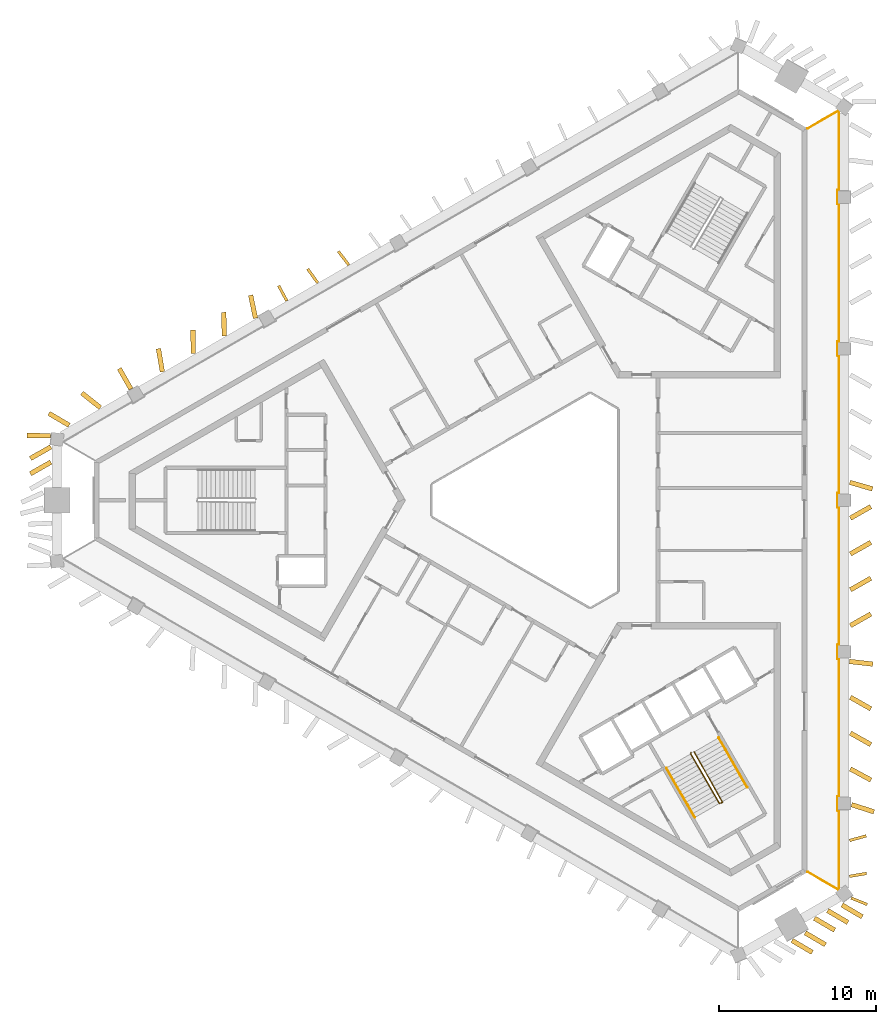
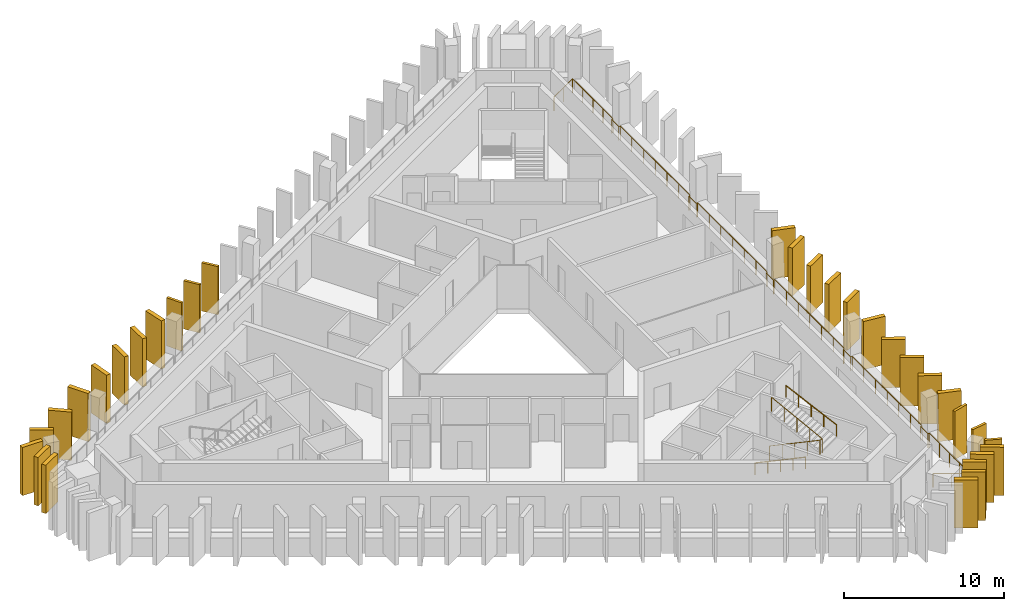
# One storey, part 8 of 9: 31 shading devices, 4 railings.
"""IFC4 building model written with IfcOpenShell, lengths in metres."""

from ifc_helpers import new_model, si_unit, direction, frame, frame_2d, origin, origin_2d, place, context, subcontext, project, spatial, rectangle, circle, extrude, material, layer, layer_set, type_object, element, save


model = new_model("IFC4")

# Units and contexts
model_context = context("Model", 3, precision=1e-05, world=origin(), true_north=direction((0.0, 1.0)))
body_context = subcontext(model_context, "Body", "Model", "MODEL_VIEW")
ifc_project = project(units=[si_unit("LENGTHUNIT", "METRE"), si_unit("AREAUNIT", "SQUARE_METRE"), si_unit("VOLUMEUNIT", "CUBIC_METRE"), si_unit("PLANEANGLEUNIT", "RADIAN"), si_unit("MASSUNIT", "GRAM", prefix="KILO")], contexts=[model_context])

# Site, building, storey
site_placement = place(None, origin())
site = spatial("IfcSite", under=ifc_project, at=site_placement, CompositionType="ELEMENT")
building_placement = place(site_placement, origin())
building = spatial("IfcBuilding", under=site, at=building_placement, Name="Jabali Bay Hotel Tower and Convention Centre", CompositionType="ELEMENT")
storey_placement = place(building_placement, frame((0.0, 0.0, 281.199951171875)))
storey = spatial("IfcBuildingStorey", under=building, at=storey_placement, Name="L69", CompositionType="ELEMENT", Elevation=281.199951171875)

# Railing
ifc_material_1 = material(Name="Glass", Category="glass")
railing_type_1 = type_object("IfcRailingType", Name="Loggia glass guard 1100", PredefinedType="BALUSTRADE", material=ifc_material_1)
railing_1_placement = place(storey_placement, frame((91.62841796875, 103.68017578125, 0.0)))
element("IfcRailing", 1, at=railing_1_placement, inside=storey, type_object=railing_type_1, Name="Loggia glass guard L69", PredefinedType="BALUSTRADE", context=body_context, shape_type="SweptSolid", body=[
    extrude(circle(Radius=0.02490234375, at=origin_2d()), frame((0.0, 0.0, 1.0751953125), z_axis=(0.866062295389, 0.499936096422, 0.0), x_axis=(-0.495659073812, 0.858653012393, 0.13052619222)), (0.0, 0.0, 1.0), 2.275146484375),
    extrude(circle(Radius=0.02490234375, at=origin_2d()), frame((1.970458984375, 1.137451171875, 1.0751953125), z_axis=(0.796035404545, -0.605250059654, 0.0), x_axis=(0.60007206149, 0.789225211308, 0.13052619222)), (0.0, 0.0, 1.0), 0.037109375),
    extrude(circle(Radius=0.02490234375, at=origin_2d()), frame((2.0, 1.114990234375, 1.0751953125), z_axis=(0.0, -1.0, 0.0), x_axis=(0.991444861374, 0.0, 0.13052619222)), (0.0, 0.0, 1.0), 5.02294921875),
    extrude(circle(Radius=0.02490234375, at=origin_2d()), frame((2.0, -3.907958984375, 1.0751953125), z_axis=(-1.0, 0.0, 0.0), x_axis=(0.0, -0.991444861374, 0.13052619222)), (0.0, 0.0, 1.0), 0.099853515625),
    extrude(circle(Radius=0.02490234375, at=origin_2d()), frame((1.900146484375, -3.907958984375, 1.0751953125), z_axis=(0.0, -1.0, 0.0), x_axis=(0.991444861374, 0.0, 0.13052619222)), (0.0, 0.0, 1.0), 0.900146484375),
    extrude(circle(Radius=0.02490234375, at=origin_2d()), frame((1.900146484375, -4.80810546875, 1.0751953125), z_axis=(1.0, 0.0, 0.0), x_axis=(0.0, 0.991444861374, 0.13052619222)), (0.0, 0.0, 1.0), 0.099853515625),
    extrude(circle(Radius=0.02490234375, at=origin_2d()), frame((2.0, -4.80810546875, 1.0751953125), z_axis=(0.0, -1.0, 0.0), x_axis=(0.991444861374, 0.0, 0.13052619222)), (0.0, 0.0, 1.0), 8.760986328125),
    extrude(circle(Radius=0.02490234375, at=origin_2d()), frame((2.0, -13.569091796875, 1.0751953125), z_axis=(-1.0, 0.0, 0.0), x_axis=(0.0, -0.991444861374, 0.13052619222)), (0.0, 0.0, 1.0), 0.099853515625),
    extrude(circle(Radius=0.02490234375, at=origin_2d()), frame((1.900146484375, -13.569091796875, 1.0751953125), z_axis=(0.0, -1.0, 0.0), x_axis=(0.991444861374, 0.0, 0.13052619222)), (0.0, 0.0, 1.0), 0.89990234375),
    extrude(circle(Radius=0.02490234375, at=origin_2d()), frame((1.900146484375, -14.468994140625, 1.0751953125), z_axis=(1.0, 0.0, 0.0), x_axis=(0.0, 0.991444861374, 0.13052619222)), (0.0, 0.0, 1.0), 0.099853515625),
    extrude(circle(Radius=0.02490234375, at=origin_2d()), frame((2.0, -14.468994140625, 1.0751953125), z_axis=(0.0, -1.0, 0.0), x_axis=(0.991444861374, 0.0, 0.13052619222)), (0.0, 0.0, 1.0), 8.76123046875),
    extrude(circle(Radius=0.02490234375, at=origin_2d()), frame((2.0, -23.230224609375, 1.0751953125), z_axis=(-1.0, 0.0, 0.0), x_axis=(0.0, -0.991444861374, 0.13052619222)), (0.0, 0.0, 1.0), 0.099853515625),
    extrude(circle(Radius=0.02490234375, at=origin_2d()), frame((1.900146484375, -23.230224609375, 1.0751953125), z_axis=(0.0, -1.0, 0.0), x_axis=(0.991444861374, 0.0, 0.13052619222)), (0.0, 0.0, 1.0), 0.89990234375),
    extrude(circle(Radius=0.02490234375, at=origin_2d()), frame((1.900146484375, -24.130126953125, 1.0751953125), z_axis=(1.0, 0.0, 0.0), x_axis=(0.0, 0.991444861374, 0.13052619222)), (0.0, 0.0, 1.0), 0.099853515625),
    extrude(circle(Radius=0.02490234375, at=origin_2d()), frame((2.0, -24.130126953125, 1.0751953125), z_axis=(0.0, -1.0, 0.0), x_axis=(0.991444861374, 0.0, 0.13052619222)), (0.0, 0.0, 1.0), 8.76123046875),
    extrude(circle(Radius=0.02490234375, at=origin_2d()), frame((2.0, -32.891357421875, 1.0751953125), z_axis=(-1.0, 0.0, 0.0), x_axis=(0.0, -0.991444861374, 0.13052619222)), (0.0, 0.0, 1.0), 0.099853515625),
    extrude(circle(Radius=0.02490234375, at=origin_2d()), frame((1.900146484375, -32.891357421875, 1.0751953125), z_axis=(0.0, -1.0, 0.0), x_axis=(0.991444861374, 0.0, 0.13052619222)), (0.0, 0.0, 1.0), 0.89990234375),
    extrude(circle(Radius=0.02490234375, at=origin_2d()), frame((1.900146484375, -33.791259765625, 1.0751953125), z_axis=(1.0, 0.0, 0.0), x_axis=(0.0, 0.991444861374, 0.13052619222)), (0.0, 0.0, 1.0), 0.099853515625),
    extrude(circle(Radius=0.02490234375, at=origin_2d()), frame((2.0, -33.791259765625, 1.0751953125), z_axis=(0.0, -1.0, 0.0), x_axis=(0.991444861374, 0.0, 0.13052619222)), (0.0, 0.0, 1.0), 8.760986328125),
    extrude(circle(Radius=0.02490234375, at=origin_2d()), frame((2.0, -42.55224609375, 1.0751953125), z_axis=(-1.0, 0.0, 0.0), x_axis=(0.0, -0.991444861374, 0.13052619222)), (0.0, 0.0, 1.0), 0.099853515625),
    extrude(circle(Radius=0.02490234375, at=origin_2d()), frame((1.900146484375, -42.55224609375, 1.0751953125), z_axis=(0.0, -1.0, 0.0), x_axis=(0.991444861374, 0.0, 0.13052619222)), (0.0, 0.0, 1.0), 0.900146484375),
    extrude(circle(Radius=0.02490234375, at=origin_2d()), frame((1.900146484375, -43.452392578125, 1.0751953125), z_axis=(1.0, 0.0, 0.0), x_axis=(0.0, 0.991444861374, 0.13052619222)), (0.0, 0.0, 1.0), 0.099853515625),
    extrude(circle(Radius=0.02490234375, at=origin_2d()), frame((2.0, -43.452392578125, 1.0751953125), z_axis=(0.0, -1.0, 0.0), x_axis=(0.991444861374, 0.0, 0.13052619222)), (0.0, 0.0, 1.0), 5.02294921875),
    extrude(circle(Radius=0.02490234375, at=origin_2d()), frame((2.0, -48.475341796875, 1.0751953125), z_axis=(-0.796035404545, -0.605250059654, 0.0), x_axis=(0.60007206149, -0.789225211308, 0.13052619222)), (0.0, 0.0, 1.0), 0.037109375),
    extrude(circle(Radius=0.02490234375, at=origin_2d()), frame((1.970458984375, -48.497802734375, 1.0751953125), z_axis=(-0.866062295389, 0.499936096422, 0.0), x_axis=(-0.495659073812, -0.858653012393, 0.13052619222)), (0.0, 0.0, 1.0), 2.275146484375),
    extrude(circle(Radius=0.02001953125, at=origin_2d()), origin(), (0.0, 0.0, 1.0), 1.050048828125),
    extrude(circle(Radius=0.02001953125, at=origin_2d()), frame((0.9853515625, 0.56884765625, 0.0)), (0.0, 0.0, 1.0), 1.050048828125),
    extrude(circle(Radius=0.02001953125, at=origin_2d()), frame((1.970458984375, 1.137451171875, 0.0)), (0.0, 0.0, 1.0), 1.050048828125),
    extrude(circle(Radius=0.02001953125, at=origin_2d()), frame((2.0, 1.114990234375, 0.0)), (0.0, 0.0, 1.0), 1.050048828125),
    extrude(circle(Radius=0.02001953125, at=origin_2d()), frame((2.0, -0.140625, 0.0)), (0.0, 0.0, 1.0), 1.050048828125),
    extrude(circle(Radius=0.02001953125, at=origin_2d()), frame((2.0, -1.396484375, 0.0)), (0.0, 0.0, 1.0), 1.050048828125),
    extrude(circle(Radius=0.02001953125, at=origin_2d()), frame((2.0, -2.65234375, 0.0)), (0.0, 0.0, 1.0), 1.050048828125),
    extrude(circle(Radius=0.02001953125, at=origin_2d()), frame((2.0, -3.907958984375, 0.0)), (0.0, 0.0, 1.0), 1.050048828125),
    extrude(circle(Radius=0.02001953125, at=origin_2d()), frame((1.900146484375, -3.907958984375, 0.0)), (0.0, 0.0, 1.0), 1.050048828125),
    extrude(circle(Radius=0.02001953125, at=origin_2d()), frame((1.900146484375, -4.80810546875, 0.0)), (0.0, 0.0, 1.0), 1.050048828125),
    extrude(circle(Radius=0.02001953125, at=origin_2d()), frame((2.0, -4.80810546875, 0.0)), (0.0, 0.0, 1.0), 1.050048828125),
    extrude(circle(Radius=0.02001953125, at=origin_2d()), frame((2.0, -6.268310546875, 0.0)), (0.0, 0.0, 1.0), 1.050048828125),
    extrude(circle(Radius=0.02001953125, at=origin_2d()), frame((2.0, -7.728515625, 0.0)), (0.0, 0.0, 1.0), 1.050048828125),
    extrude(circle(Radius=0.02001953125, at=origin_2d()), frame((2.0, -9.1884765625, 0.0)), (0.0, 0.0, 1.0), 1.050048828125),
    extrude(circle(Radius=0.02001953125, at=origin_2d()), frame((2.0, -10.648681640625, 0.0)), (0.0, 0.0, 1.0), 1.050048828125),
    extrude(circle(Radius=0.02001953125, at=origin_2d()), frame((2.0, -12.10888671875, 0.0)), (0.0, 0.0, 1.0), 1.050048828125),
    extrude(circle(Radius=0.02001953125, at=origin_2d()), frame((2.0, -13.569091796875, 0.0)), (0.0, 0.0, 1.0), 1.050048828125),
    extrude(circle(Radius=0.02001953125, at=origin_2d()), frame((1.900146484375, -13.569091796875, 0.0)), (0.0, 0.0, 1.0), 1.050048828125),
    extrude(circle(Radius=0.02001953125, at=origin_2d()), frame((1.900146484375, -14.468994140625, 0.0)), (0.0, 0.0, 1.0), 1.050048828125),
    extrude(circle(Radius=0.02001953125, at=origin_2d()), frame((2.0, -14.468994140625, 0.0)), (0.0, 0.0, 1.0), 1.050048828125),
    extrude(circle(Radius=0.02001953125, at=origin_2d()), frame((2.0, -15.92919921875, 0.0)), (0.0, 0.0, 1.0), 1.050048828125),
    extrude(circle(Radius=0.02001953125, at=origin_2d()), frame((2.0, -17.389404296875, 0.0)), (0.0, 0.0, 1.0), 1.050048828125),
    extrude(circle(Radius=0.02001953125, at=origin_2d()), frame((2.0, -18.849609375, 0.0)), (0.0, 0.0, 1.0), 1.050048828125),
    extrude(circle(Radius=0.02001953125, at=origin_2d()), frame((2.0, -20.309814453125, 0.0)), (0.0, 0.0, 1.0), 1.050048828125),
    extrude(circle(Radius=0.02001953125, at=origin_2d()), frame((2.0, -21.77001953125, 0.0)), (0.0, 0.0, 1.0), 1.050048828125),
    extrude(circle(Radius=0.02001953125, at=origin_2d()), frame((2.0, -23.230224609375, 0.0)), (0.0, 0.0, 1.0), 1.050048828125),
    extrude(circle(Radius=0.02001953125, at=origin_2d()), frame((1.900146484375, -23.230224609375, 0.0)), (0.0, 0.0, 1.0), 1.050048828125),
    extrude(circle(Radius=0.02001953125, at=origin_2d()), frame((1.900146484375, -24.130126953125, 0.0)), (0.0, 0.0, 1.0), 1.050048828125),
    extrude(circle(Radius=0.02001953125, at=origin_2d()), frame((2.0, -24.130126953125, 0.0)), (0.0, 0.0, 1.0), 1.050048828125),
    extrude(circle(Radius=0.02001953125, at=origin_2d()), frame((2.0, -25.59033203125, 0.0)), (0.0, 0.0, 1.0), 1.050048828125),
    extrude(circle(Radius=0.02001953125, at=origin_2d()), frame((2.0, -27.050537109375, 0.0)), (0.0, 0.0, 1.0), 1.050048828125),
    extrude(circle(Radius=0.02001953125, at=origin_2d()), frame((2.0, -28.5107421875, 0.0)), (0.0, 0.0, 1.0), 1.050048828125),
    extrude(circle(Radius=0.02001953125, at=origin_2d()), frame((2.0, -29.970947265625, 0.0)), (0.0, 0.0, 1.0), 1.050048828125),
    extrude(circle(Radius=0.02001953125, at=origin_2d()), frame((2.0, -31.43115234375, 0.0)), (0.0, 0.0, 1.0), 1.050048828125),
    extrude(circle(Radius=0.02001953125, at=origin_2d()), frame((2.0, -32.891357421875, 0.0)), (0.0, 0.0, 1.0), 1.050048828125),
    extrude(circle(Radius=0.02001953125, at=origin_2d()), frame((1.900146484375, -32.891357421875, 0.0)), (0.0, 0.0, 1.0), 1.050048828125),
    extrude(circle(Radius=0.02001953125, at=origin_2d()), frame((1.900146484375, -33.791259765625, 0.0)), (0.0, 0.0, 1.0), 1.050048828125),
    extrude(circle(Radius=0.02001953125, at=origin_2d()), frame((2.0, -33.791259765625, 0.0)), (0.0, 0.0, 1.0), 1.050048828125),
    extrude(circle(Radius=0.02001953125, at=origin_2d()), frame((2.0, -35.25146484375, 0.0)), (0.0, 0.0, 1.0), 1.050048828125),
    extrude(circle(Radius=0.02001953125, at=origin_2d()), frame((2.0, -36.711669921875, 0.0)), (0.0, 0.0, 1.0), 1.050048828125),
    extrude(circle(Radius=0.02001953125, at=origin_2d()), frame((2.0, -38.171875, 0.0)), (0.0, 0.0, 1.0), 1.050048828125),
    extrude(circle(Radius=0.02001953125, at=origin_2d()), frame((2.0, -39.6318359375, 0.0)), (0.0, 0.0, 1.0), 1.050048828125),
    extrude(circle(Radius=0.02001953125, at=origin_2d()), frame((2.0, -41.092041015625, 0.0)), (0.0, 0.0, 1.0), 1.050048828125),
    extrude(circle(Radius=0.02001953125, at=origin_2d()), frame((2.0, -42.55224609375, 0.0)), (0.0, 0.0, 1.0), 1.050048828125),
    extrude(circle(Radius=0.02001953125, at=origin_2d()), frame((1.900146484375, -42.55224609375, 0.0)), (0.0, 0.0, 1.0), 1.050048828125),
    extrude(circle(Radius=0.02001953125, at=origin_2d()), frame((1.900146484375, -43.452392578125, 0.0)), (0.0, 0.0, 1.0), 1.050048828125),
    extrude(circle(Radius=0.02001953125, at=origin_2d()), frame((2.0, -43.452392578125, 0.0)), (0.0, 0.0, 1.0), 1.050048828125),
    extrude(circle(Radius=0.02001953125, at=origin_2d()), frame((2.0, -44.7080078125, 0.0)), (0.0, 0.0, 1.0), 1.050048828125),
    extrude(circle(Radius=0.02001953125, at=origin_2d()), frame((2.0, -45.9638671875, 0.0)), (0.0, 0.0, 1.0), 1.050048828125),
    extrude(circle(Radius=0.02001953125, at=origin_2d()), frame((2.0, -47.2197265625, 0.0)), (0.0, 0.0, 1.0), 1.050048828125),
    extrude(circle(Radius=0.02001953125, at=origin_2d()), frame((2.0, -48.475341796875, 0.0)), (0.0, 0.0, 1.0), 1.050048828125),
    extrude(circle(Radius=0.02001953125, at=origin_2d()), frame((1.970458984375, -48.497802734375, 0.0)), (0.0, 0.0, 1.0), 1.050048828125),
    extrude(circle(Radius=0.02001953125, at=origin_2d()), frame((0.9853515625, -47.92919921875, 0.0)), (0.0, 0.0, 1.0), 1.050048828125),
    extrude(circle(Radius=0.02001953125, at=origin_2d()), frame((0.0, -47.3603515625, 0.0)), (0.0, 0.0, 1.0), 1.050048828125),
])

# Shading devices
ifc_material_2 = material(Name="Precast concrete C60", Category="concrete")
ifc_layer_1 = layer(ifc_material_2, 0.179931640625)
ifc_layer_set_1 = layer_set([ifc_layer_1], Name="Precast concrete C60")
shading_device_type_1 = type_object("IfcShadingDeviceType", Name="Precast fin 3680 x 1100", PredefinedType="USERDEFINED", material=ifc_layer_set_1)
shading_device_1_placement = place(storey_placement, frame((94.285888671875, 56.0458984375, 0.010009765625), z_axis=(0.0, 0.0, 1.0), x_axis=(0.986013445644, 0.166665788359, 0.0)))
element("IfcShadingDevice", 2, at=shading_device_1_placement, inside=storey, type_object=shading_device_type_1, Name="Fin L69 000", ObjectType="FIN", PredefinedType="USERDEFINED", context=body_context, shape_type="SweptSolid", body=[
    extrude(rectangle(XDim=1.10009765625, YDim=0.179931640625, at=frame_2d((0.550048828125, 0.0))), origin(), (0.0, 0.0, 1.0), 3.679931640625),
])
shading_device_2_placement = place(storey_placement, frame((94.29541015625, 58.327392578125, 0.010009765625), z_axis=(0.0, 0.0, 1.0), x_axis=(0.962753928238, 0.270379129489, 0.0)))
element("IfcShadingDevice", 3, at=shading_device_2_placement, inside=storey, type_object=shading_device_type_1, Name="Fin L69 001", ObjectType="FIN", PredefinedType="USERDEFINED", context=body_context, shape_type="SweptSolid", body=[
    extrude(rectangle(XDim=1.099853515625, YDim=0.179931640625, at=frame_2d((0.5498046875, 0.0))), origin(), (0.0, 0.0, 1.0), 3.679931640625),
])
shading_device_3_placement = place(storey_placement, frame((62.395263671875, 94.988037109375, 0.010009765625), z_axis=(0.0, 0.0, 1.0), x_axis=(-0.607112361062, 0.794615995966, 0.0)))
element("IfcShadingDevice", 4, at=shading_device_3_placement, inside=storey, type_object=shading_device_type_1, Name="Fin L69 042", ObjectType="FIN", PredefinedType="USERDEFINED", context=body_context, shape_type="SweptSolid", body=[
    extrude(rectangle(XDim=1.100341796875, YDim=0.179931640625, at=frame_2d((0.55029296875, 0.0))), origin(), (0.0, 0.0, 1.0), 3.679931640625),
])
for number, where, z_axis, x_axis, name in (
    (5, (60.420654296875, 93.845458984375, 0.010009765625), (0.0, 0.0, 1.0), (-0.586745724409, 0.809771236145, 0.0), "Fin L69 043"),
    (6, (58.4482421875, 92.69921875, 0.010009765625), (0.0, 0.0, 1.0), (-0.472947991596, 0.881090345677, 0.0), "Fin L69 044"),
    (7, (94.397705078125, 54.663330078125, 0.010009765625), (0.0, 0.0, 1.0), (0.926628533, -0.375978140096, 0.0), "Fin L69 090"),
):
    element("IfcShadingDevice", number, at=place(storey_placement, frame(where, z_axis=z_axis, x_axis=x_axis)), inside=storey, type_object=shading_device_type_1, Name=name, ObjectType="FIN", PredefinedType="USERDEFINED", context=body_context, shape_type="SweptSolid", body=[
        extrude(rectangle(XDim=1.10009765625, YDim=0.179931640625, at=frame_2d((0.550048828125, 0.0))), origin(), (0.0, 0.0, 1.0), 3.679931640625),
    ])
ifc_layer_2 = layer(ifc_material_2, 0.300048828125)
ifc_layer_set_2 = layer_set([ifc_layer_2], Name="Precast concrete C60")
shading_device_type_2 = type_object("IfcShadingDeviceType", Name="Precast fin 3680 x 1500", PredefinedType="USERDEFINED", material=ifc_layer_set_2)
shading_device_4_placement = place(storey_placement, frame((94.423828125, 60.608642578125, 0.010009765625), z_axis=(0.0, 0.0, 1.0), x_axis=(0.953079554709, -0.302719940533, 0.0)))
element("IfcShadingDevice", 8, at=shading_device_4_placement, inside=storey, type_object=shading_device_type_2, Name="Fin L69 002", ObjectType="FIN", PredefinedType="USERDEFINED", context=body_context, shape_type="SweptSolid", body=[
    extrude(rectangle(XDim=1.5, YDim=0.300048828125, at=frame_2d((0.75, 0.0))), origin(), (0.0, 0.0, 1.0), 3.679931640625),
])
shading_device_5_placement = place(storey_placement, frame((94.34228515625, 62.889892578125, 0.010009765625), z_axis=(0.0, 0.0, 1.0), x_axis=(0.879470847229, -0.475952759078, 0.0)))
element("IfcShadingDevice", 9, at=shading_device_5_placement, inside=storey, type_object=shading_device_type_2, Name="Fin L69 003", ObjectType="FIN", PredefinedType="USERDEFINED", context=body_context, shape_type="SweptSolid", body=[
    extrude(rectangle(XDim=1.499755859375, YDim=0.300048828125, at=frame_2d((0.75, 0.0))), origin(), (0.0, 0.0, 1.0), 3.679931640625),
])
for number, where, z_axis, x_axis, name in (
    (10, (94.344482421875, 65.17138671875, 0.010009765625), (0.0, 0.0, 1.0), (0.871766731178, -0.489921183877, 0.0), "Fin L69 004"),
    (11, (94.3447265625, 67.45263671875, 0.010009765625), (0.0, 0.0, 1.0), (0.8702292093, -0.492647057518, 0.0), "Fin L69 005"),
    (12, (94.2880859375, 69.73388671875, 0.010009765625), (0.0, 0.0, 1.0), (0.993470095068, -0.114092813998, 0.0), "Fin L69 006"),
    (13, (94.344970703125, 72.015380859375, 0.010009765625), (0.0, 0.0, 1.0), (0.869831289423, 0.493349296078, 0.0), "Fin L69 007"),
    (14, (94.344970703125, 74.296630859375, 0.010009765625), (0.0, 0.0, 1.0), (0.869831289423, 0.493349296078, 0.0), "Fin L69 008"),
    (15, (94.344970703125, 76.577880859375, 0.010009765625), (0.0, 0.0, 1.0), (0.86976143765, 0.493472432439, 0.0), "Fin L69 009"),
    (16, (94.344970703125, 78.859375, 0.010009765625), (0.0, 0.0, 1.0), (0.869831289423, 0.493349296078, 0.0), "Fin L69 010"),
    (17, (94.3125, 81.140625, 0.010009765625), (0.0, 0.0, 1.0), (0.960956847259, -0.27669827919, 0.0), "Fin L69 011"),
):
    element("IfcShadingDevice", number, at=place(storey_placement, frame(where, z_axis=z_axis, x_axis=x_axis)), inside=storey, type_object=shading_device_type_2, Name=name, ObjectType="FIN", PredefinedType="USERDEFINED", context=body_context, shape_type="SweptSolid", body=[
        extrude(rectangle(XDim=1.5, YDim=0.300048828125, at=frame_2d((0.75, 0.0))), origin(), (0.0, 0.0, 1.0), 3.679931640625),
    ])
shading_device_6_placement = place(storey_placement, frame((56.45068359375, 91.596435546875, 0.010009765625), z_axis=(0.0, 0.0, 1.0), x_axis=(-0.205871045847, 0.978579129392, 0.0)))
element("IfcShadingDevice", 18, at=shading_device_6_placement, inside=storey, type_object=shading_device_type_2, Name="Fin L69 045", ObjectType="FIN", PredefinedType="USERDEFINED", context=body_context, shape_type="SweptSolid", body=[
    extrude(rectangle(XDim=1.500244140625, YDim=0.300048828125, at=frame_2d((0.75, 0.0))), origin(), (0.0, 0.0, 1.0), 3.679931640625),
])
for number, where, z_axis, x_axis, name in (
    (19, (54.4619140625, 90.47802734375, 0.010009765625), (0.0, 0.0, 1.0), (-0.020018777684, 0.999799604191, 0.0), "Fin L69 046"),
    (20, (52.485595703125, 89.338623046875, 0.010009765625), (0.0, 0.0, 1.0), (-0.010090632076, 0.999949088276, 0.0), "Fin L69 047"),
    (21, (50.520751953125, 88.17919921875, 0.010009765625), (0.0, 0.0, 1.0), (-0.167960881343, 0.985793661137, 0.0), "Fin L69 048"),
    (22, (48.516845703125, 87.08740234375, 0.010009765625), (0.0, 0.0, 1.0), (-0.49410447368, 0.869402535704, 0.0), "Fin L69 049"),
):
    element("IfcShadingDevice", number, at=place(storey_placement, frame(where, z_axis=z_axis, x_axis=x_axis)), inside=storey, type_object=shading_device_type_2, Name=name, ObjectType="FIN", PredefinedType="USERDEFINED", context=body_context, shape_type="SweptSolid", body=[
        extrude(rectangle(XDim=1.5, YDim=0.300048828125, at=frame_2d((0.75, 0.0))), origin(), (0.0, 0.0, 1.0), 3.679931640625),
    ])
shading_device_7_placement = place(storey_placement, frame((46.56787109375, 85.900390625, 0.010009765625), z_axis=(0.0, 0.0, 1.0), x_axis=(-0.783134158058, 0.621852788433, 0.0)))
element("IfcShadingDevice", 23, at=shading_device_7_placement, inside=storey, type_object=shading_device_type_2, Name="Fin L69 050", ObjectType="FIN", PredefinedType="USERDEFINED", context=body_context, shape_type="SweptSolid", body=[
    extrude(rectangle(XDim=1.500244140625, YDim=0.300048828125, at=frame_2d((0.75, 0.0))), origin(), (0.0, 0.0, 1.0), 3.679931640625),
])
for number, where, z_axis, x_axis, name in (
    (24, (44.582763671875, 84.776123046875, 0.010009765625), (0.0, 0.0, 1.0), (-0.862139163582, 0.506671552998, 0.0), "Fin L69 051"),
    (25, (43.417236328125, 83.402587890625, 0.010009765625), (0.0, 0.0, 1.0), (-0.86976143765, -0.493472432439, 0.0), "Fin L69 052"),
    (26, (43.417236328125, 82.430419921875, 0.010009765625), (0.0, 0.0, 1.0), (-0.869831289423, -0.493349296078, 0.0), "Fin L69 053"),
    (27, (90.626708984375, 51.96142578125, 0.010009765625), (0.0, 0.0, 1.0), (0.862210257959, -0.506550561218, 0.0), "Fin L69 085"),
    (28, (91.46875, 52.447509765625, 0.010009765625), (0.0, 0.0, 1.0), (0.862210257959, -0.506550561218, 0.0), "Fin L69 086"),
    (29, (92.05419921875, 53.377685546875, 0.010009765625), (0.0, 0.0, 1.0), (0.862139163582, -0.506671552998, 0.0), "Fin L69 087"),
    (30, (92.89599609375, 53.86376953125, 0.010009765625), (0.0, 0.0, 1.0), (0.862139163582, -0.506671552998, 0.0), "Fin L69 088"),
    (31, (93.810546875, 54.22412109375, 0.010009765625), (0.0, 0.0, 1.0), (0.862210257959, -0.506550561218, 0.0), "Fin L69 089"),
    (32, (43.385986328125, 84.114990234375, 0.010009765625), (0.0, 0.0, 1.0), (-0.999970742026, 0.007649515767, 0.0), "Fin L69 093"),
):
    element("IfcShadingDevice", number, at=place(storey_placement, frame(where, z_axis=z_axis, x_axis=x_axis)), inside=storey, type_object=shading_device_type_2, Name=name, ObjectType="FIN", PredefinedType="USERDEFINED", context=body_context, shape_type="SweptSolid", body=[
        extrude(rectangle(XDim=1.5, YDim=0.300048828125, at=frame_2d((0.75, 0.0))), origin(), (0.0, 0.0, 1.0), 3.679931640625),
    ])

# Railings
ifc_material_3 = material(Name="Steel Q355B", Category="steel")
railing_type_2 = type_object("IfcRailingType", Name="Stair guard 1100", PredefinedType="GUARDRAIL", material=ifc_material_3)
railing_2_placement = place(storey_placement, frame((84.199951171875, 63.9150390625, 0.0)))
element("IfcRailing", 33, at=railing_2_placement, inside=storey, type_object=railing_type_2, Name="L69 ST3 stair guard 1", PredefinedType="GUARDRAIL", context=body_context, shape_type="SweptSolid", body=[
    extrude(circle(Radius=0.02392578125, at=origin_2d()), frame((0.0, 0.0, 1.076171875), z_axis=(-0.122196845461, -0.456201556387, 0.881446578591), x_axis=(0.965948051503, -0.258736085224, 0.0)), (0.0, 0.0, 1.0), 0.14990234375),
    extrude(circle(Radius=0.02392578125, at=origin_2d()), frame((-0.018310546875, -0.068359375, 1.2080078125), z_axis=(0.45217862506, -0.783169739339, 0.426825081763), x_axis=(0.866018046521, 0.500012742938, 0.0)), (0.0, 0.0, 1.0), 4.025146484375),
    extrude(circle(Radius=0.02392578125, at=origin_2d()), frame((1.8017578125, -3.220703125, 2.92626953125), z_axis=(0.96121063429, 0.275815366736, 0.0), x_axis=(-0.275815366736, 0.96121063429, 0.0)), (0.0, 0.0, 1.0), 0.206298828125),
    extrude(circle(Radius=0.02392578125, at=origin_2d()), frame((2.0, -3.163818359375, 2.92626953125), z_axis=(-0.436481798955, 0.780166857725, 0.448133142368), x_axis=(-0.872702246529, -0.488252792008, 0.0)), (0.0, 0.0, 1.0), 4.1279296875),
    extrude(circle(Radius=0.02099609375, at=origin_2d()), origin(), (0.0, 0.0, 1.0), 1.052001953125),
    extrude(circle(Radius=0.02099609375, at=origin_2d()), frame((-0.018310546875, -0.068359375, 0.132080078125)), (0.0, 0.0, 1.0), 1.052001953125),
    extrude(circle(Radius=0.02099609375, at=origin_2d()), frame((0.436767578125, -0.8564453125, 0.5615234375)), (0.0, 0.0, 1.0), 1.052001953125),
    extrude(circle(Radius=0.02099609375, at=origin_2d()), frame((0.8916015625, -1.64453125, 0.9912109375)), (0.0, 0.0, 1.0), 1.052001953125),
    extrude(circle(Radius=0.02099609375, at=origin_2d()), frame((1.3466796875, -2.4326171875, 1.420654296875)), (0.0, 0.0, 1.0), 1.052001953125),
    extrude(circle(Radius=0.02099609375, at=origin_2d()), frame((1.8017578125, -3.220703125, 1.85009765625)), (0.0, 0.0, 1.0), 1.052001953125),
    extrude(circle(Radius=0.02099609375, at=origin_2d()), frame((2.0, -3.163818359375, 1.85009765625)), (0.0, 0.0, 1.0), 1.052001953125),
    extrude(circle(Radius=0.02099609375, at=origin_2d()), frame((1.549560546875, -2.358642578125, 2.3125)), (0.0, 0.0, 1.0), 1.052001953125),
    extrude(circle(Radius=0.02099609375, at=origin_2d()), frame((1.09912109375, -1.5537109375, 2.77490234375)), (0.0, 0.0, 1.0), 1.052001953125),
    extrude(circle(Radius=0.02099609375, at=origin_2d()), frame((0.648681640625, -0.74853515625, 3.237548828125)), (0.0, 0.0, 1.0), 1.052001953125),
    extrude(circle(Radius=0.02099609375, at=origin_2d()), frame((0.1982421875, 0.056640625, 3.699951171875)), (0.0, 0.0, 1.0), 1.052001953125),
])
railing_type_3 = type_object("IfcRailingType", Name="Stair handrail 900", PredefinedType="HANDRAIL", material=ifc_material_3)
railing_3_placement = place(storey_placement, frame((82.622802734375, 62.94677734375, 0.132080078125)))
element("IfcRailing", 34, at=railing_3_placement, inside=storey, type_object=railing_type_3, Name="L69 ST3 stair handrail 1", PredefinedType="HANDRAIL", context=body_context, shape_type="SweptSolid", body=[
    extrude(circle(Radius=0.02392578125, at=origin_2d()), frame((0.0, 0.0, 0.8759765625), z_axis=(0.45217862506, -0.783169739339, 0.426825081763), x_axis=(0.866018046521, 0.500012742938, 0.0)), (0.0, 0.0, 1.0), 4.025146484375),
    extrude(circle(Radius=0.02099609375, at=origin_2d()), origin(), (0.0, 0.0, 1.0), 0.851806640625),
    extrude(circle(Radius=0.02099609375, at=origin_2d()), frame((0.455078125, -0.7880859375, 0.429443359375)), (0.0, 0.0, 1.0), 0.851806640625),
    extrude(circle(Radius=0.02099609375, at=origin_2d()), frame((0.91015625, -1.576171875, 0.85888671875)), (0.0, 0.0, 1.0), 0.851806640625),
    extrude(circle(Radius=0.02099609375, at=origin_2d()), frame((1.364990234375, -2.3642578125, 1.28857421875)), (0.0, 0.0, 1.0), 0.851806640625),
    extrude(circle(Radius=0.02099609375, at=origin_2d()), frame((1.820068359375, -3.15234375, 1.718017578125)), (0.0, 0.0, 1.0), 0.851806640625),
])
railing_4_placement = place(storey_placement, frame((87.777099609375, 61.719482421875, 1.982177734375)))
element("IfcRailing", 35, at=railing_4_placement, inside=storey, type_object=railing_type_3, Name="L69 ST3 stair handrail 2", PredefinedType="HANDRAIL", context=body_context, shape_type="SweptSolid", body=[
    extrude(circle(Radius=0.02392578125, at=origin_2d()), frame((0.0, 0.0, 0.8759765625), z_axis=(-0.452190331055, 0.783190014029, 0.426775475427), x_axis=(-0.866018046521, -0.500012742938, 0.0)), (0.0, 0.0, 1.0), 4.02490234375),
    extrude(circle(Radius=0.02099609375, at=origin_2d()), origin(), (0.0, 0.0, 1.0), 0.851806640625),
    extrude(circle(Radius=0.02099609375, at=origin_2d()), frame((-0.455078125, 0.7880859375, 0.429443359375)), (0.0, 0.0, 1.0), 0.851806640625),
    extrude(circle(Radius=0.02099609375, at=origin_2d()), frame((-0.91015625, 1.576171875, 0.85888671875)), (0.0, 0.0, 1.0), 0.851806640625),
    extrude(circle(Radius=0.02099609375, at=origin_2d()), frame((-1.364990234375, 2.3642578125, 1.288330078125)), (0.0, 0.0, 1.0), 0.851806640625),
    extrude(circle(Radius=0.02099609375, at=origin_2d()), frame((-1.820068359375, 3.15234375, 1.7177734375)), (0.0, 0.0, 1.0), 0.851806640625),
])

save(model, "model.ifc")
